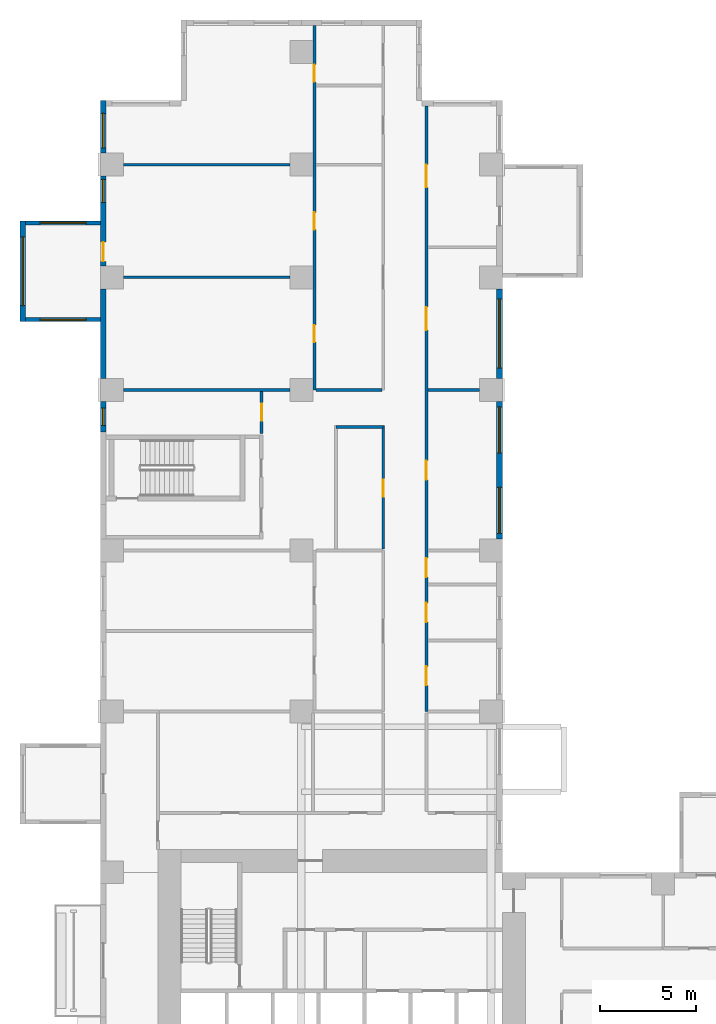
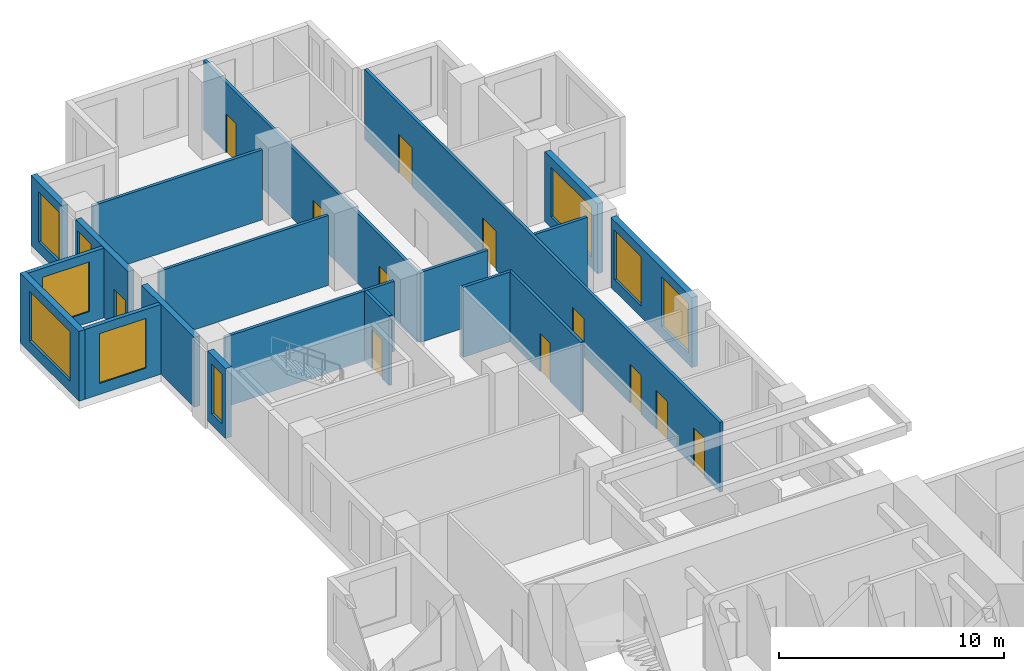
# One storey, part 7 of 14: 19 walls, 12 doors, 9 windows, 21 openings.
"""IFC4 building model written with IfcOpenShell, lengths in metres."""

from ifc_helpers import new_model, si_unit, direction, frame, frame_2d, origin, place, context, subcontext, project, spatial, rectangle, extrude, source, transform, mapped, material, layer, layer_set, type_object, element, fill, save


model = new_model("IFC4")

# Units and contexts
model_context = context("Model", 3, precision=1e-05, world=origin(), true_north=direction((0.0, 1.0)))
body_context = subcontext(model_context, "Body", "Model", "MODEL_VIEW")
ifc_project = project(units=[si_unit("LENGTHUNIT", "METRE"), si_unit("AREAUNIT", "SQUARE_METRE"), si_unit("VOLUMEUNIT", "CUBIC_METRE"), si_unit("PLANEANGLEUNIT", "RADIAN"), si_unit("MASSUNIT", "GRAM", prefix="KILO")], contexts=[model_context])

# Site, building, storey
site_placement = place(None, origin())
site = spatial("IfcSite", under=ifc_project, at=site_placement, CompositionType="ELEMENT")
building_placement = place(site_placement, origin())
building = spatial("IfcBuilding", under=site, at=building_placement, Name="Aurelian Terraces", CompositionType="ELEMENT")
storey_placement = place(building_placement, frame((0.0, 0.0, 57.3)))
storey = spatial("IfcBuildingStorey", under=building, at=storey_placement, Name="L11", CompositionType="ELEMENT", Elevation=57.3)

# Wall
ifc_material_1 = material(Name="Gypsum board on steel studs", Category="steel")
ifc_layer_1 = layer(ifc_material_1, 0.15)
ifc_layer_set_1 = layer_set([ifc_layer_1], Name="Partition 150")
wall_type_1 = type_object("IfcWallType", Name="Partition 150", PredefinedType="PARTITIONING", material=ifc_layer_set_1)
wall_1_placement = place(storey_placement, frame((14.775, 44.25, 0.0), z_axis=(0.0, 0.0, 1.0), x_axis=(-1.0, 0.0, 0.0)))
element("IfcWall", 1, at=wall_1_placement, inside=storey, type_object=wall_type_1, Name="Partition", PredefinedType="PARTITIONING", context=body_context, shape_type="SweptSolid", body=[
    extrude(rectangle(XDim=2.475, YDim=0.15, at=frame_2d((1.2375, 0.0))), origin(), (0.0, 0.0, 1.0), 3.8),
])

# Wall, openings, windows
ifc_material_2 = material(Name="Terracotta rainscreen cladding", Category="masonry")
ifc_layer_2 = layer(ifc_material_2, 0.3)
ifc_layer_set_2 = layer_set([ifc_layer_2], Name="EW-300")
wall_type_2 = type_object("IfcWallType", Name="EW-300", PredefinedType="STANDARD", material=ifc_layer_set_2)
shared_shape_1 = source(origin(), body_context, "Body", "SweptSolid", [
    extrude(rectangle(XDim=7.2, YDim=0.3, at=frame_2d((3.6, 0.0))), origin(), (0.0, 0.0, 1.0), 3.8),
])
wall_2_placement = place(storey_placement, frame((20.85, 38.4, 0.0), z_axis=(0.0, 0.0, 1.0), x_axis=(0.0, 1.0, 0.0)))
wall_2 = element("IfcWall", 2, at=wall_2_placement, inside=storey, type_object=wall_type_2, Name="External wall L11 F12.27", PredefinedType="STANDARD", context=body_context, shape_type="MappedRepresentation", body=[
    mapped(shared_shape_1, transform((0.0, 0.0, 0.0), scale=1.0)),
])
shared_shape_2 = source(origin(), body_context, "Body", "SweptSolid", [
    extrude(rectangle(XDim=2.4, YDim=2.7, at=frame_2d((1.2, 1.35))), frame((0.0, 0.16, 0.0), z_axis=(0.0, -1.0, 0.0), x_axis=(1.0, 0.0, 0.0)), (0.0, 0.0, 1.0), 0.32),
])
opening_1_placement = place(wall_2_placement, frame((0.3, 0.0, 0.6)))
opening_1 = element("IfcOpeningElement", 3, at=opening_1_placement, cuts=wall_2, Name="Opening W2427", PredefinedType="OPENING", context=body_context, shape_type="MappedRepresentation", body=[
    mapped(shared_shape_2, transform((0.0, 0.0, 0.0), scale=1.0)),
])
opening_2_placement = place(wall_2_placement, frame((4.5, 0.0, 0.6)))
opening_2 = element("IfcOpeningElement", 4, at=opening_2_placement, cuts=wall_2, Name="Opening W2427", PredefinedType="OPENING", context=body_context, shape_type="MappedRepresentation", body=[
    mapped(shared_shape_2, transform((0.0, 0.0, 0.0), scale=1.0)),
])
ifc_material_3 = material(Name="Clear glazing", Category="glass")
window_type_1 = type_object("IfcWindowType", Name="W-2400x2700", PartitioningType="SINGLE_PANEL", PredefinedType="WINDOW", material=ifc_material_3)
shared_shape_3 = source(origin(), body_context, "Body", "SweptSolid", [
    extrude(rectangle(XDim=2.4, YDim=2.7, at=frame_2d((1.2, 1.35))), frame((0.0, 0.03, 0.0), z_axis=(0.0, -1.0, 0.0), x_axis=(1.0, 0.0, 0.0)), (0.0, 0.0, 1.0), 0.06),
])
window_1_placement = place(opening_1_placement, origin())
window_1 = element("IfcWindow", 5, at=window_1_placement, inside=storey, type_object=window_type_1, Name="Window L11 L11-F12-27-0", OverallHeight=2.7, OverallWidth=2.4, PartitioningType="SINGLE_PANEL", PredefinedType="WINDOW", context=body_context, shape_type="MappedRepresentation", body=[
    mapped(shared_shape_3, transform((0.0, 0.0, 0.0), scale=1.0)),
])
fill(opening_1, window_1)
window_2_placement = place(opening_2_placement, origin())
window_2 = element("IfcWindow", 6, at=window_2_placement, inside=storey, type_object=window_type_1, Name="Window L11 L11-F12-27-1", OverallHeight=2.7, OverallWidth=2.4, PartitioningType="SINGLE_PANEL", PredefinedType="WINDOW", context=body_context, shape_type="MappedRepresentation", body=[
    mapped(shared_shape_3, transform((0.0, 0.0, 0.0), scale=1.0)),
])
fill(opening_2, window_2)

# Wall, opening, window
shared_shape_4 = source(origin(), body_context, "Body", "SweptSolid", [
    extrude(rectangle(XDim=4.68, YDim=0.3, at=frame_2d((2.34, 0.0))), origin(), (0.0, 0.0, 1.0), 3.8),
])
wall_3_placement = place(storey_placement, frame((20.85, 46.8, 0.0), z_axis=(0.0, 0.0, 1.0), x_axis=(0.0, 1.0, 0.0)))
wall_3 = element("IfcWall", 7, at=wall_3_placement, inside=storey, type_object=wall_type_2, Name="External wall L11 F12.28", PredefinedType="STANDARD", context=body_context, shape_type="MappedRepresentation", body=[
    mapped(shared_shape_4, transform((0.0, 0.0, 0.0), scale=1.0)),
])
shared_shape_5 = source(origin(), body_context, "Body", "SweptSolid", [
    extrude(rectangle(XDim=3.6, YDim=2.7, at=frame_2d((1.8, 1.35))), frame((0.0, 0.16, 0.0), z_axis=(0.0, -1.0, 0.0), x_axis=(1.0, 0.0, 0.0)), (0.0, 0.0, 1.0), 0.32),
])
opening_3_placement = place(wall_3_placement, frame((0.54, 0.0, 0.6)))
opening_3 = element("IfcOpeningElement", 8, at=opening_3_placement, cuts=wall_3, Name="Opening W3627", PredefinedType="OPENING", context=body_context, shape_type="MappedRepresentation", body=[
    mapped(shared_shape_5, transform((0.0, 0.0, 0.0), scale=1.0)),
])
window_type_2 = type_object("IfcWindowType", Name="W-3600x2700", PartitioningType="SINGLE_PANEL", PredefinedType="WINDOW", material=ifc_material_3)
shared_shape_6 = source(origin(), body_context, "Body", "SweptSolid", [
    extrude(rectangle(XDim=3.6, YDim=2.7, at=frame_2d((1.8, 1.35))), frame((0.0, 0.03, 0.0), z_axis=(0.0, -1.0, 0.0), x_axis=(1.0, 0.0, 0.0)), (0.0, 0.0, 1.0), 0.06),
])
window_3_placement = place(opening_3_placement, origin())
window_3 = element("IfcWindow", 9, at=window_3_placement, inside=storey, type_object=window_type_2, Name="Window L11 L11-F12-28-0", OverallHeight=2.7, OverallWidth=3.6, PartitioningType="SINGLE_PANEL", PredefinedType="WINDOW", context=body_context, shape_type="MappedRepresentation", body=[
    mapped(shared_shape_6, transform((0.0, 0.0, 0.0), scale=1.0)),
])
fill(opening_3, window_3)

# Wall, openings, window, door
wall_4_placement = place(storey_placement, frame((0.15, 57.36, 0.0), z_axis=(0.0, 0.0, 1.0), x_axis=(0.0, -1.0, 0.0)))
wall_4 = element("IfcWall", 10, at=wall_4_placement, inside=storey, type_object=wall_type_2, Name="External wall L11 F18.39", PredefinedType="STANDARD", context=body_context, shape_type="MappedRepresentation", body=[
    mapped(shared_shape_4, transform((0.0, 0.0, 0.0), scale=1.0)),
])
shared_shape_7 = source(origin(), body_context, "Body", "SweptSolid", [
    extrude(rectangle(XDim=1.2, YDim=2.7, at=frame_2d((0.6, 1.35))), frame((0.0, 0.16, 0.0), z_axis=(0.0, -1.0, 0.0), x_axis=(1.0, 0.0, 0.0)), (0.0, 0.0, 1.0), 0.32),
])
opening_4_placement = place(wall_4_placement, frame((0.165, 0.0, 0.6)))
opening_4 = element("IfcOpeningElement", 11, at=opening_4_placement, cuts=wall_4, Name="Opening W1227", PredefinedType="OPENING", context=body_context, shape_type="MappedRepresentation", body=[
    mapped(shared_shape_7, transform((0.0, 0.0, 0.0), scale=1.0)),
])
shared_shape_8 = source(origin(), body_context, "Body", "SweptSolid", [
    extrude(rectangle(XDim=1.0, YDim=2.1, at=frame_2d((0.5, 1.05))), frame((0.0, 0.16, 0.0), z_axis=(0.0, -1.0, 0.0), x_axis=(1.0, 0.0, 0.0)), (0.0, 0.0, 1.0), 0.32),
])
opening_5_placement = place(wall_4_placement, frame((3.4442, 0.0, 0.0)))
opening_5 = element("IfcOpeningElement", 12, at=opening_5_placement, cuts=wall_4, Name="Opening 811005", PredefinedType="OPENING", context=body_context, shape_type="MappedRepresentation", body=[
    mapped(shared_shape_8, transform((0.0, 0.0, 0.0), scale=1.0)),
])
window_type_3 = type_object("IfcWindowType", Name="W-1200x2700", PartitioningType="SINGLE_PANEL", PredefinedType="WINDOW", material=ifc_material_3)
shared_shape_9 = source(origin(), body_context, "Body", "SweptSolid", [
    extrude(rectangle(XDim=1.2, YDim=2.7, at=frame_2d((0.6, 1.35))), frame((0.0, 0.03, 0.0), z_axis=(0.0, -1.0, 0.0), x_axis=(1.0, 0.0, 0.0)), (0.0, 0.0, 1.0), 0.06),
])
window_4_placement = place(opening_4_placement, origin())
window_4 = element("IfcWindow", 13, at=window_4_placement, inside=storey, type_object=window_type_3, Name="Window L11 L11-F18-39-1", OverallHeight=2.7, OverallWidth=1.2, PartitioningType="SINGLE_PANEL", PredefinedType="WINDOW", context=body_context, shape_type="MappedRepresentation", body=[
    mapped(shared_shape_9, transform((0.0, 0.0, 0.0), scale=1.0)),
])
fill(opening_4, window_4)
ifc_material_4 = material(Name="Timber door leaf", Category="wood")
door_type_1 = type_object("IfcDoorType", Name="Room door 1000x2100 left", OperationType="SINGLE_SWING_LEFT", PredefinedType="DOOR", material=ifc_material_4)
shared_shape_10 = source(origin(), body_context, "Body", "SweptSolid", [
    extrude(rectangle(XDim=1.0, YDim=2.1, at=frame_2d((0.5, 1.05))), frame((0.0, 0.025, 0.0), z_axis=(0.0, -1.0, 0.0), x_axis=(1.0, 0.0, 0.0)), (0.0, 0.0, 1.0), 0.05),
])
door_1_placement = place(opening_5_placement, origin())
door_1 = element("IfcDoor", 14, at=door_1_placement, inside=storey, type_object=door_type_1, Name="Door 811005", OperationType="SINGLE_SWING_LEFT", OverallHeight=2.1, OverallWidth=1.0, PredefinedType="DOOR", context=body_context, shape_type="MappedRepresentation", body=[
    mapped(shared_shape_10, transform((0.0, 0.0, 0.0), scale=1.0)),
])
fill(opening_5, door_1)

# Wall
wall_5_placement = place(storey_placement, frame((0.15, 51.48, 0.0), z_axis=(0.0, 0.0, 1.0), x_axis=(0.0, -1.0, 0.0)))
element("IfcWall", 15, at=wall_5_placement, inside=storey, type_object=wall_type_2, Name="External wall L11 F18.39", PredefinedType="STANDARD", context=body_context, shape_type="MappedRepresentation", body=[
    mapped(shared_shape_4, transform((0.0, 0.0, 0.0), scale=1.0)),
])

# Wall, opening, window
shared_shape_11 = source(origin(), body_context, "Body", "SweptSolid", [
    extrude(rectangle(XDim=2.76, YDim=0.3, at=frame_2d((1.38, 0.0))), origin(), (0.0, 0.0, 1.0), 3.8),
])
wall_6_placement = place(storey_placement, frame((0.15, 61.32, 0.0), z_axis=(0.0, 0.0, 1.0), x_axis=(0.0, -1.0, 0.0)))
wall_6 = element("IfcWall", 16, at=wall_6_placement, inside=storey, type_object=wall_type_2, Name="External wall L11 F18.39", PredefinedType="STANDARD", context=body_context, shape_type="MappedRepresentation", body=[
    mapped(shared_shape_11, transform((0.0, 0.0, 0.0), scale=1.0)),
])
shared_shape_12 = source(origin(), body_context, "Body", "SweptSolid", [
    extrude(rectangle(XDim=1.8, YDim=2.7, at=frame_2d((0.9, 1.35))), frame((0.0, 0.16, 0.0), z_axis=(0.0, -1.0, 0.0), x_axis=(1.0, 0.0, 0.0)), (0.0, 0.0, 1.0), 0.32),
])
opening_6_placement = place(wall_6_placement, frame((0.675, 0.0, 0.6)))
opening_6 = element("IfcOpeningElement", 17, at=opening_6_placement, cuts=wall_6, Name="Opening W1827", PredefinedType="OPENING", context=body_context, shape_type="MappedRepresentation", body=[
    mapped(shared_shape_12, transform((0.0, 0.0, 0.0), scale=1.0)),
])
window_type_4 = type_object("IfcWindowType", Name="W-1800x2700", PartitioningType="SINGLE_PANEL", PredefinedType="WINDOW", material=ifc_material_3)
shared_shape_13 = source(origin(), body_context, "Body", "SweptSolid", [
    extrude(rectangle(XDim=1.8, YDim=2.7, at=frame_2d((0.9, 1.35))), frame((0.0, 0.03, 0.0), z_axis=(0.0, -1.0, 0.0), x_axis=(1.0, 0.0, 0.0)), (0.0, 0.0, 1.0), 0.06),
])
window_5_placement = place(opening_6_placement, origin())
window_5 = element("IfcWindow", 18, at=window_5_placement, inside=storey, type_object=window_type_4, Name="Window L11 L11-F18-39-0", OverallHeight=2.7, OverallWidth=1.8, PartitioningType="SINGLE_PANEL", PredefinedType="WINDOW", context=body_context, shape_type="MappedRepresentation", body=[
    mapped(shared_shape_13, transform((0.0, 0.0, 0.0), scale=1.0)),
])
fill(opening_6, window_5)

shared_shape_14 = source(origin(), body_context, "Body", "SweptSolid", [
    extrude(rectangle(XDim=1.6, YDim=0.3, at=frame_2d((0.8, 0.0))), origin(), (0.0, 0.0, 1.0), 3.8),
])
wall_7_placement = place(storey_placement, frame((0.15, 45.6, 0.0), z_axis=(0.0, 0.0, 1.0), x_axis=(0.0, -1.0, 0.0)))
wall_7 = element("IfcWall", 19, at=wall_7_placement, inside=storey, type_object=wall_type_2, Name="External wall L11 F18.39", PredefinedType="STANDARD", context=body_context, shape_type="MappedRepresentation", body=[
    mapped(shared_shape_14, transform((0.0, 0.0, 0.0), scale=1.0)),
])
shared_shape_15 = source(origin(), body_context, "Body", "SweptSolid", [
    extrude(rectangle(XDim=0.9, YDim=2.7, at=frame_2d((0.45, 1.35))), frame((0.0, 0.16, 0.0), z_axis=(0.0, -1.0, 0.0), x_axis=(1.0, 0.0, 0.0)), (0.0, 0.0, 1.0), 0.32),
])
opening_7_placement = place(wall_7_placement, frame((0.35, 0.0, 0.6)))
opening_7 = element("IfcOpeningElement", 20, at=opening_7_placement, cuts=wall_7, Name="Opening W0927", PredefinedType="OPENING", context=body_context, shape_type="MappedRepresentation", body=[
    mapped(shared_shape_15, transform((0.0, 0.0, 0.0), scale=1.0)),
])
window_type_5 = type_object("IfcWindowType", Name="W-900x2700", PartitioningType="SINGLE_PANEL", PredefinedType="WINDOW", material=ifc_material_3)
shared_shape_16 = source(origin(), body_context, "Body", "SweptSolid", [
    extrude(rectangle(XDim=0.9, YDim=2.7, at=frame_2d((0.45, 1.35))), frame((0.0, 0.03, 0.0), z_axis=(0.0, -1.0, 0.0), x_axis=(1.0, 0.0, 0.0)), (0.0, 0.0, 1.0), 0.06),
])
window_6_placement = place(opening_7_placement, origin())
window_6 = element("IfcWindow", 21, at=window_6_placement, inside=storey, type_object=window_type_5, Name="Window L11 L11-F18-39-P3", OverallHeight=2.7, OverallWidth=0.9, PartitioningType="SINGLE_PANEL", PredefinedType="WINDOW", context=body_context, shape_type="MappedRepresentation", body=[
    mapped(shared_shape_16, transform((0.0, 0.0, 0.0), scale=1.0)),
])
fill(opening_7, window_6)

ifc_material_5 = material(Name="Concrete fc' 40 MPa", Category="concrete")
ifc_layer_3 = layer(ifc_material_5, 0.2)
ifc_layer_set_3 = layer_set([ifc_layer_3], Name="BOX BEARING WALL 200")
wall_type_3 = type_object("IfcWallType", Name="BOX BEARING WALL 200", PredefinedType="SOLIDWALL", material=ifc_layer_set_3)
shared_shape_17 = source(origin(), body_context, "Body", "SweptSolid", [
    extrude(rectangle(XDim=3.9, YDim=0.2, at=frame_2d((1.95, 0.0))), origin(), (0.0, 0.0, 1.0), 3.79),
])
wall_8_placement = place(storey_placement, frame((0.0, 54.92, 0.0), z_axis=(0.0, 0.0, 1.0), x_axis=(-1.0, 0.0, 0.0)))
wall_8 = element("IfcWall", 22, at=wall_8_placement, inside=storey, type_object=wall_type_3, Name="Box return L11 J10.1", PredefinedType="SOLIDWALL", context=body_context, shape_type="MappedRepresentation", body=[
    mapped(shared_shape_17, transform((0.0, 0.0, 0.0), scale=1.0)),
])
shared_shape_18 = source(origin(), body_context, "Body", "SweptSolid", [
    extrude(rectangle(XDim=2.4, YDim=2.7, at=frame_2d((1.2, 1.35))), frame((0.0, 0.11, 0.0), z_axis=(0.0, -1.0, 0.0), x_axis=(1.0, 0.0, 0.0)), (0.0, 0.0, 1.0), 0.22),
])
opening_8_placement = place(wall_8_placement, frame((0.75, 0.0, 0.6)))
opening_8 = element("IfcOpeningElement", 23, at=opening_8_placement, cuts=wall_8, Name="Opening W2427", PredefinedType="OPENING", context=body_context, shape_type="MappedRepresentation", body=[
    mapped(shared_shape_18, transform((0.0, 0.0, 0.0), scale=1.0)),
])
window_7_placement = place(opening_8_placement, origin())
window_7 = element("IfcWindow", 24, at=window_7_placement, inside=storey, type_object=window_type_1, Name="Window L11 J10-S1", OverallHeight=2.7, OverallWidth=2.4, PartitioningType="SINGLE_PANEL", PredefinedType="WINDOW", context=body_context, shape_type="MappedRepresentation", body=[
    mapped(shared_shape_3, transform((0.0, 0.0, 0.0), scale=1.0)),
])
fill(opening_8, window_7)

wall_9_placement = place(storey_placement, frame((0.0, 49.87, 0.0), z_axis=(0.0, 0.0, 1.0), x_axis=(-1.0, 0.0, 0.0)))
wall_9 = element("IfcWall", 25, at=wall_9_placement, inside=storey, type_object=wall_type_3, Name="Box return L11 J10.2", PredefinedType="SOLIDWALL", context=body_context, shape_type="MappedRepresentation", body=[
    mapped(shared_shape_17, transform((0.0, 0.0, 0.0), scale=1.0)),
])
opening_9_placement = place(wall_9_placement, frame((0.75, 0.0, 0.6)))
opening_9 = element("IfcOpeningElement", 26, at=opening_9_placement, cuts=wall_9, Name="Opening W2427", PredefinedType="OPENING", context=body_context, shape_type="MappedRepresentation", body=[
    mapped(shared_shape_18, transform((0.0, 0.0, 0.0), scale=1.0)),
])
window_8_placement = place(opening_9_placement, origin())
window_8 = element("IfcWindow", 27, at=window_8_placement, inside=storey, type_object=window_type_1, Name="Window L11 J10-S2", OverallHeight=2.7, OverallWidth=2.4, PartitioningType="SINGLE_PANEL", PredefinedType="WINDOW", context=body_context, shape_type="MappedRepresentation", body=[
    mapped(shared_shape_3, transform((0.0, 0.0, 0.0), scale=1.0)),
])
fill(opening_9, window_8)

ifc_layer_4 = layer(ifc_material_5, 0.3)
ifc_layer_set_4 = layer_set([ifc_layer_4], Name="BOX BEARING WALL 300")
wall_type_4 = type_object("IfcWallType", Name="BOX BEARING WALL 300", PredefinedType="SOLIDWALL", material=ifc_layer_set_4)
shared_shape_19 = source(origin(), body_context, "Body", "SweptSolid", [
    extrude(rectangle(XDim=5.25, YDim=0.3, at=frame_2d((2.625, 0.0))), origin(), (0.0, 0.0, 1.0), 3.79),
])
wall_10_placement = place(storey_placement, frame((-4.05, 55.02, 0.0), z_axis=(0.0, 0.0, 1.0), x_axis=(0.0, -1.0, 0.0)))
wall_10 = element("IfcWall", 28, at=wall_10_placement, inside=storey, type_object=wall_type_4, Name="Box wall L11 J10", PredefinedType="SOLIDWALL", context=body_context, shape_type="MappedRepresentation", body=[
    mapped(shared_shape_19, transform((0.0, 0.0, 0.0), scale=1.0)),
])
opening_10_placement = place(wall_10_placement, frame((0.825, 0.0, 0.6)))
opening_10 = element("IfcOpeningElement", 29, at=opening_10_placement, cuts=wall_10, Name="Opening W3627", PredefinedType="OPENING", context=body_context, shape_type="MappedRepresentation", body=[
    mapped(shared_shape_5, transform((0.0, 0.0, 0.0), scale=1.0)),
])
window_9_placement = place(opening_10_placement, origin())
window_9 = element("IfcWindow", 30, at=window_9_placement, inside=storey, type_object=window_type_2, Name="Window L11 J10-F1", OverallHeight=2.7, OverallWidth=3.6, PartitioningType="SINGLE_PANEL", PredefinedType="WINDOW", context=body_context, shape_type="MappedRepresentation", body=[
    mapped(shared_shape_6, transform((0.0, 0.0, 0.0), scale=1.0)),
])
fill(opening_10, window_9)

# Wall, opening, door
ifc_layer_5 = layer(ifc_material_1, 0.15)
ifc_layer_set_5 = layer_set([ifc_layer_5], Name="Fire partition 150")
wall_type_5 = type_object("IfcWallType", Name="Fire partition 150", PredefinedType="PARTITIONING", material=ifc_layer_set_5)
shared_shape_20 = source(origin(), body_context, "Body", "SweptSolid", [
    extrude(rectangle(XDim=6.45, YDim=0.15, at=frame_2d((3.225, 0.0))), origin(), (0.0, 0.0, 1.0), 3.8),
])
wall_11_placement = place(storey_placement, frame((14.775, 37.875, 0.0), z_axis=(0.0, 0.0, 1.0), x_axis=(0.0, 1.0, 0.0)))
wall_11 = element("IfcWall", 31, at=wall_11_placement, inside=storey, type_object=wall_type_5, Name="Corridor wall", PredefinedType="PARTITIONING", context=body_context, shape_type="MappedRepresentation", body=[
    mapped(shared_shape_20, transform((0.0, 0.0, 0.0), scale=1.0)),
])
shared_shape_21 = source(origin(), body_context, "Body", "SweptSolid", [
    extrude(rectangle(XDim=0.9, YDim=2.1, at=frame_2d((0.45, 1.05))), frame((0.0, 0.085, 0.0), z_axis=(0.0, -1.0, 0.0), x_axis=(1.0, 0.0, 0.0)), (0.0, 0.0, 1.0), 0.17),
])
opening_11_placement = place(wall_11_placement, frame((2.7375, 0.0, 0.0)))
opening_11 = element("IfcOpeningElement", 32, at=opening_11_placement, cuts=wall_11, Name="Opening 711030", PredefinedType="OPENING", context=body_context, shape_type="MappedRepresentation", body=[
    mapped(shared_shape_21, transform((0.0, 0.0, 0.0), scale=1.0)),
])
door_type_2 = type_object("IfcDoorType", Name="Room door 900x2100 right", OperationType="SINGLE_SWING_RIGHT", PredefinedType="DOOR", material=ifc_material_4)
shared_shape_22 = source(origin(), body_context, "Body", "SweptSolid", [
    extrude(rectangle(XDim=0.9, YDim=2.1, at=frame_2d((0.45, 1.05))), frame((0.0, 0.025, 0.0), z_axis=(0.0, -1.0, 0.0), x_axis=(1.0, 0.0, 0.0)), (0.0, 0.0, 1.0), 0.05),
])
door_2_placement = place(opening_11_placement, origin())
door_2 = element("IfcDoor", 33, at=door_2_placement, inside=storey, type_object=door_type_2, Name="Door 711030", OperationType="SINGLE_SWING_RIGHT", OverallHeight=2.1, OverallWidth=0.9, PredefinedType="DOOR", context=body_context, shape_type="MappedRepresentation", body=[
    mapped(shared_shape_22, transform((0.0, 0.0, 0.0), scale=1.0)),
])
fill(opening_11, door_2)

# Walls
shared_shape_23 = source(origin(), body_context, "Body", "SweptSolid", [
    extrude(rectangle(XDim=8.702, YDim=0.15, at=frame_2d((4.351, 0.0))), origin(), (0.0, 0.0, 1.0), 3.8),
])
for number, where, z_axis, x_axis, name in (
    (34, (9.901, 52.08, 0.0), (0.0, 0.0, 1.0), (-1.0, 0.0, 0.0), "Partition"),
    (35, (9.901, 46.2, 0.0), (0.0, 0.0, 1.0), (-1.0, 0.0, 0.0), "Partition"),
    (36, (9.901, 57.96, 0.0), (0.0, 0.0, 1.0), (-1.0, 0.0, 0.0), "Partition"),
):
    element("IfcWall", number, at=place(storey_placement, frame(where, z_axis=z_axis, x_axis=x_axis)), inside=storey, type_object=wall_type_1, Name=name, PredefinedType="PARTITIONING", context=body_context, shape_type="MappedRepresentation", body=[
        mapped(shared_shape_23, transform((0.0, 0.0, 0.0), scale=1.0)),
    ])
shared_shape_24 = source(origin(), body_context, "Body", "SweptSolid", [
    extrude(rectangle(XDim=2.701, YDim=0.15, at=frame_2d((1.3505, 0.0))), origin(), (0.0, 0.0, 1.0), 3.8),
])
wall_12_placement = place(storey_placement, frame((19.801, 46.2, 0.0), z_axis=(0.0, 0.0, 1.0), x_axis=(-1.0, 0.0, 0.0)))
element("IfcWall", 37, at=wall_12_placement, inside=storey, type_object=wall_type_1, Name="Partition", PredefinedType="PARTITIONING", context=body_context, shape_type="MappedRepresentation", body=[
    mapped(shared_shape_24, transform((0.0, 0.0, 0.0), scale=1.0)),
])

# Wall, opening, door
shared_shape_25 = source(origin(), body_context, "Body", "SweptSolid", [
    extrude(rectangle(XDim=2.2, YDim=0.15, at=frame_2d((1.1, 0.0))), origin(), (0.0, 0.0, 1.0), 3.8),
])
wall_13_placement = place(storey_placement, frame((8.425, 43.925, 0.0), z_axis=(0.0, 0.0, 1.0), x_axis=(0.0, 1.0, 0.0)))
wall_13 = element("IfcWall", 38, at=wall_13_placement, inside=storey, type_object=wall_type_1, Name="Partition", PredefinedType="PARTITIONING", context=body_context, shape_type="MappedRepresentation", body=[
    mapped(shared_shape_25, transform((0.0, 0.0, 0.0), scale=1.0)),
])
opening_12_placement = place(wall_13_placement, frame((0.65, 0.0, 0.0)))
opening_12 = element("IfcOpeningElement", 39, at=opening_12_placement, cuts=wall_13, Name="Opening 711031", PredefinedType="OPENING", context=body_context, shape_type="MappedRepresentation", body=[
    mapped(shared_shape_21, transform((0.0, 0.0, 0.0), scale=1.0)),
])
door_3_placement = place(opening_12_placement, origin())
door_3 = element("IfcDoor", 40, at=door_3_placement, inside=storey, type_object=door_type_2, Name="Door 711031", OperationType="SINGLE_SWING_RIGHT", OverallHeight=2.1, OverallWidth=0.9, PredefinedType="DOOR", context=body_context, shape_type="MappedRepresentation", body=[
    mapped(shared_shape_22, transform((0.0, 0.0, 0.0), scale=1.0)),
])
fill(opening_12, door_3)

# Wall, openings, doors
shared_shape_26 = source(origin(), body_context, "Body", "SweptSolid", [
    extrude(rectangle(XDim=19.02, YDim=0.15, at=frame_2d((9.51, 0.0))), origin(), (0.0, 0.0, 1.0), 3.8),
])
wall_14_placement = place(storey_placement, frame((11.175, 46.2, 0.0), z_axis=(0.0, 0.0, 1.0), x_axis=(0.0, 1.0, 0.0)))
wall_14 = element("IfcWall", 41, at=wall_14_placement, inside=storey, type_object=wall_type_1, Name="Partition", PredefinedType="PARTITIONING", context=body_context, shape_type="MappedRepresentation", body=[
    mapped(shared_shape_26, transform((0.0, 0.0, 0.0), scale=1.0)),
])
opening_13_placement = place(wall_14_placement, frame((2.4875, 0.0, 0.0)))
opening_13 = element("IfcOpeningElement", 42, at=opening_13_placement, cuts=wall_14, Name="Opening 711036", PredefinedType="OPENING", context=body_context, shape_type="MappedRepresentation", body=[
    mapped(shared_shape_21, transform((0.0, 0.0, 0.0), scale=1.0)),
])
opening_14_placement = place(wall_14_placement, frame((8.3675, 0.0, 0.0)))
opening_14 = element("IfcOpeningElement", 43, at=opening_14_placement, cuts=wall_14, Name="Opening 711037", PredefinedType="OPENING", context=body_context, shape_type="MappedRepresentation", body=[
    mapped(shared_shape_21, transform((0.0, 0.0, 0.0), scale=1.0)),
])
opening_15_placement = place(wall_14_placement, frame((16.0942, 0.0, 0.0)))
opening_15 = element("IfcOpeningElement", 44, at=opening_15_placement, cuts=wall_14, Name="Opening 711039", PredefinedType="OPENING", context=body_context, shape_type="MappedRepresentation", body=[
    mapped(shared_shape_21, transform((0.0, 0.0, 0.0), scale=1.0)),
])
door_4_placement = place(opening_13_placement, origin())
door_4 = element("IfcDoor", 45, at=door_4_placement, inside=storey, type_object=door_type_2, Name="Door 711036", OperationType="SINGLE_SWING_RIGHT", OverallHeight=2.1, OverallWidth=0.9, PredefinedType="DOOR", context=body_context, shape_type="MappedRepresentation", body=[
    mapped(shared_shape_22, transform((0.0, 0.0, 0.0), scale=1.0)),
])
fill(opening_13, door_4)
door_type_3 = type_object("IfcDoorType", Name="Room door 900x2100 left", OperationType="SINGLE_SWING_LEFT", PredefinedType="DOOR", material=ifc_material_4)
door_5_placement = place(opening_14_placement, origin())
door_5 = element("IfcDoor", 46, at=door_5_placement, inside=storey, type_object=door_type_3, Name="Door 711037", OperationType="SINGLE_SWING_LEFT", OverallHeight=2.1, OverallWidth=0.9, PredefinedType="DOOR", context=body_context, shape_type="MappedRepresentation", body=[
    mapped(shared_shape_22, transform((0.0, 0.0, 0.0), scale=1.0)),
])
fill(opening_14, door_5)
door_6_placement = place(opening_15_placement, origin())
door_6 = element("IfcDoor", 47, at=door_6_placement, inside=storey, type_object=door_type_2, Name="Door 711039", OperationType="SINGLE_SWING_RIGHT", OverallHeight=2.1, OverallWidth=0.9, PredefinedType="DOOR", context=body_context, shape_type="MappedRepresentation", body=[
    mapped(shared_shape_22, transform((0.0, 0.0, 0.0), scale=1.0)),
])
fill(opening_15, door_6)

# Wall
shared_shape_27 = source(origin(), body_context, "Body", "SweptSolid", [
    extrude(rectangle(XDim=3.45, YDim=0.15, at=frame_2d((1.725, 0.0))), origin(), (0.0, 0.0, 1.0), 3.8),
])
wall_15_placement = place(storey_placement, frame((14.7, 46.2, 0.0), z_axis=(0.0, 0.0, 1.0), x_axis=(-1.0, 0.0, 0.0)))
element("IfcWall", 48, at=wall_15_placement, inside=storey, type_object=wall_type_1, Name="Partition", PredefinedType="PARTITIONING", context=body_context, shape_type="MappedRepresentation", body=[
    mapped(shared_shape_27, transform((0.0, 0.0, 0.0), scale=1.0)),
])

# Wall, openings, doors
shared_shape_28 = source(origin(), body_context, "Body", "SweptSolid", [
    extrude(rectangle(XDim=31.62, YDim=0.15, at=frame_2d((15.81, 0.0))), origin(), (0.0, 0.0, 1.0), 3.8),
])
wall_16_placement = place(storey_placement, frame((17.025, 61.02, 0.0), z_axis=(0.0, 0.0, 1.0), x_axis=(0.0, -1.0, 0.0)))
wall_16 = element("IfcWall", 49, at=wall_16_placement, inside=storey, type_object=wall_type_5, Name="Corridor wall", PredefinedType="PARTITIONING", context=body_context, shape_type="MappedRepresentation", body=[
    mapped(shared_shape_28, transform((0.0, 0.0, 0.0), scale=1.0)),
])
shared_shape_29 = source(origin(), body_context, "Body", "SweptSolid", [
    extrude(rectangle(XDim=1.0, YDim=2.1, at=frame_2d((0.5, 1.05))), frame((0.0, 0.085, 0.0), z_axis=(0.0, -1.0, 0.0), x_axis=(1.0, 0.0, 0.0)), (0.0, 0.0, 1.0), 0.17),
])
opening_16_placement = place(wall_16_placement, frame((29.2633, 0.0, 0.0)))
opening_16 = element("IfcOpeningElement", 50, at=opening_16_placement, cuts=wall_16, Name="Opening 711041", PredefinedType="OPENING", context=body_context, shape_type="MappedRepresentation", body=[
    mapped(shared_shape_29, transform((0.0, 0.0, 0.0), scale=1.0)),
])
opening_17_placement = place(wall_16_placement, frame((25.9514, 0.0, 0.0)))
opening_17 = element("IfcOpeningElement", 51, at=opening_17_placement, cuts=wall_16, Name="Opening 711042", PredefinedType="OPENING", context=body_context, shape_type="MappedRepresentation", body=[
    mapped(shared_shape_29, transform((0.0, 0.0, 0.0), scale=1.0)),
])
opening_18_placement = place(wall_16_placement, frame((23.608, 0.0, 0.0)))
opening_18 = element("IfcOpeningElement", 52, at=opening_18_placement, cuts=wall_16, Name="Opening 711043", PredefinedType="OPENING", context=body_context, shape_type="MappedRepresentation", body=[
    mapped(shared_shape_29, transform((0.0, 0.0, 0.0), scale=1.0)),
])
opening_19_placement = place(wall_16_placement, frame((18.52, 0.0, 0.0)))
opening_19 = element("IfcOpeningElement", 53, at=opening_19_placement, cuts=wall_16, Name="Opening 711044", PredefinedType="OPENING", context=body_context, shape_type="MappedRepresentation", body=[
    mapped(shared_shape_29, transform((0.0, 0.0, 0.0), scale=1.0)),
])
shared_shape_30 = source(origin(), body_context, "Body", "SweptSolid", [
    extrude(rectangle(XDim=1.2, YDim=2.1, at=frame_2d((0.6, 1.05))), frame((0.0, 0.085, 0.0), z_axis=(0.0, -1.0, 0.0), x_axis=(1.0, 0.0, 0.0)), (0.0, 0.0, 1.0), 0.17),
])
opening_20_placement = place(wall_16_placement, frame((10.4962, 0.0, 0.0)))
opening_20 = element("IfcOpeningElement", 54, at=opening_20_placement, cuts=wall_16, Name="Opening 711045", PredefinedType="OPENING", context=body_context, shape_type="MappedRepresentation", body=[
    mapped(shared_shape_30, transform((0.0, 0.0, 0.0), scale=1.0)),
])
opening_21_placement = place(wall_16_placement, frame((3.0488, 0.0, 0.0)))
opening_21 = element("IfcOpeningElement", 55, at=opening_21_placement, cuts=wall_16, Name="Opening 711046", PredefinedType="OPENING", context=body_context, shape_type="MappedRepresentation", body=[
    mapped(shared_shape_30, transform((0.0, 0.0, 0.0), scale=1.0)),
])
door_7_placement = place(opening_16_placement, origin())
door_7 = element("IfcDoor", 56, at=door_7_placement, inside=storey, type_object=door_type_1, Name="Door 711041", OperationType="SINGLE_SWING_LEFT", OverallHeight=2.1, OverallWidth=1.0, PredefinedType="DOOR", context=body_context, shape_type="MappedRepresentation", body=[
    mapped(shared_shape_10, transform((0.0, 0.0, 0.0), scale=1.0)),
])
fill(opening_16, door_7)
door_type_4 = type_object("IfcDoorType", Name="Room door 1000x2100 right", OperationType="SINGLE_SWING_RIGHT", PredefinedType="DOOR", material=ifc_material_4)
door_8_placement = place(opening_17_placement, origin())
door_8 = element("IfcDoor", 57, at=door_8_placement, inside=storey, type_object=door_type_4, Name="Door 711042", OperationType="SINGLE_SWING_RIGHT", OverallHeight=2.1, OverallWidth=1.0, PredefinedType="DOOR", context=body_context, shape_type="MappedRepresentation", body=[
    mapped(shared_shape_10, transform((0.0, 0.0, 0.0), scale=1.0)),
])
fill(opening_17, door_8)
door_9_placement = place(opening_18_placement, origin())
door_9 = element("IfcDoor", 58, at=door_9_placement, inside=storey, type_object=door_type_1, Name="Door 711043", OperationType="SINGLE_SWING_LEFT", OverallHeight=2.1, OverallWidth=1.0, PredefinedType="DOOR", context=body_context, shape_type="MappedRepresentation", body=[
    mapped(shared_shape_10, transform((0.0, 0.0, 0.0), scale=1.0)),
])
fill(opening_18, door_9)
door_10_placement = place(opening_19_placement, origin())
door_10 = element("IfcDoor", 59, at=door_10_placement, inside=storey, type_object=door_type_1, Name="Door 711044", OperationType="SINGLE_SWING_LEFT", OverallHeight=2.1, OverallWidth=1.0, PredefinedType="DOOR", context=body_context, shape_type="MappedRepresentation", body=[
    mapped(shared_shape_10, transform((0.0, 0.0, 0.0), scale=1.0)),
])
fill(opening_19, door_10)
door_type_5 = type_object("IfcDoorType", Name="Room door 1200x2100 left", OperationType="SINGLE_SWING_LEFT", PredefinedType="DOOR", material=ifc_material_4)
shared_shape_31 = source(origin(), body_context, "Body", "SweptSolid", [
    extrude(rectangle(XDim=1.2, YDim=2.1, at=frame_2d((0.6, 1.05))), frame((0.0, 0.025, 0.0), z_axis=(0.0, -1.0, 0.0), x_axis=(1.0, 0.0, 0.0)), (0.0, 0.0, 1.0), 0.05),
])
door_11_placement = place(opening_20_placement, origin())
door_11 = element("IfcDoor", 60, at=door_11_placement, inside=storey, type_object=door_type_5, Name="Door 711045", OperationType="SINGLE_SWING_LEFT", OverallHeight=2.1, OverallWidth=1.2, PredefinedType="DOOR", context=body_context, shape_type="MappedRepresentation", body=[
    mapped(shared_shape_31, transform((0.0, 0.0, 0.0), scale=1.0)),
])
fill(opening_20, door_11)
door_type_6 = type_object("IfcDoorType", Name="Room door 1200x2100 right", OperationType="SINGLE_SWING_RIGHT", PredefinedType="DOOR", material=ifc_material_4)
door_12_placement = place(opening_21_placement, origin())
door_12 = element("IfcDoor", 61, at=door_12_placement, inside=storey, type_object=door_type_6, Name="Door 711046", OperationType="SINGLE_SWING_RIGHT", OverallHeight=2.1, OverallWidth=1.2, PredefinedType="DOOR", context=body_context, shape_type="MappedRepresentation", body=[
    mapped(shared_shape_31, transform((0.0, 0.0, 0.0), scale=1.0)),
])
fill(opening_21, door_12)

save(model, "model.ifc")
